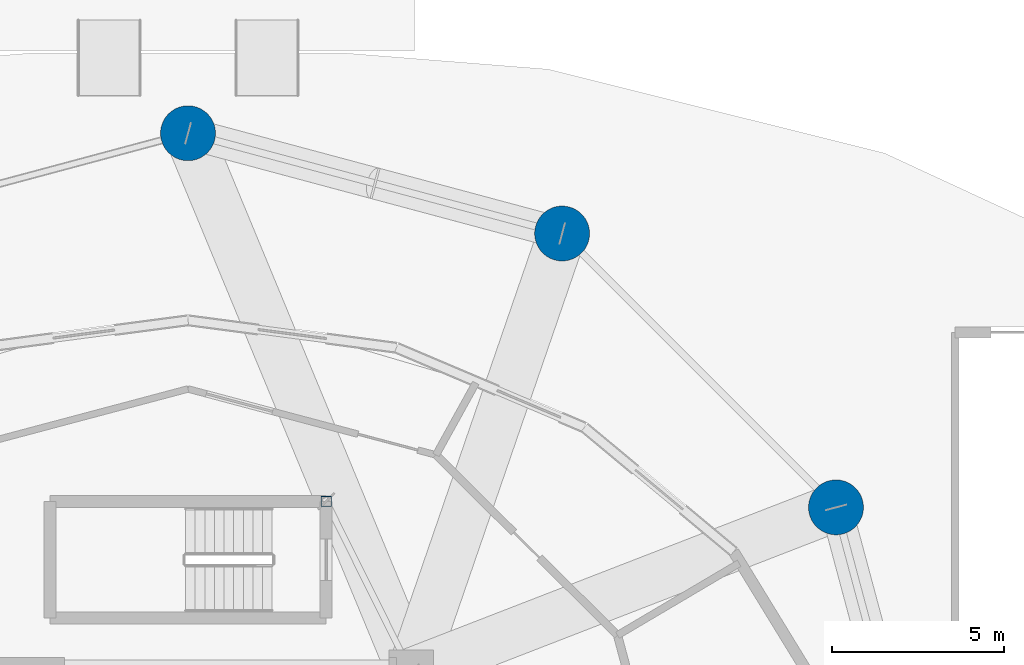
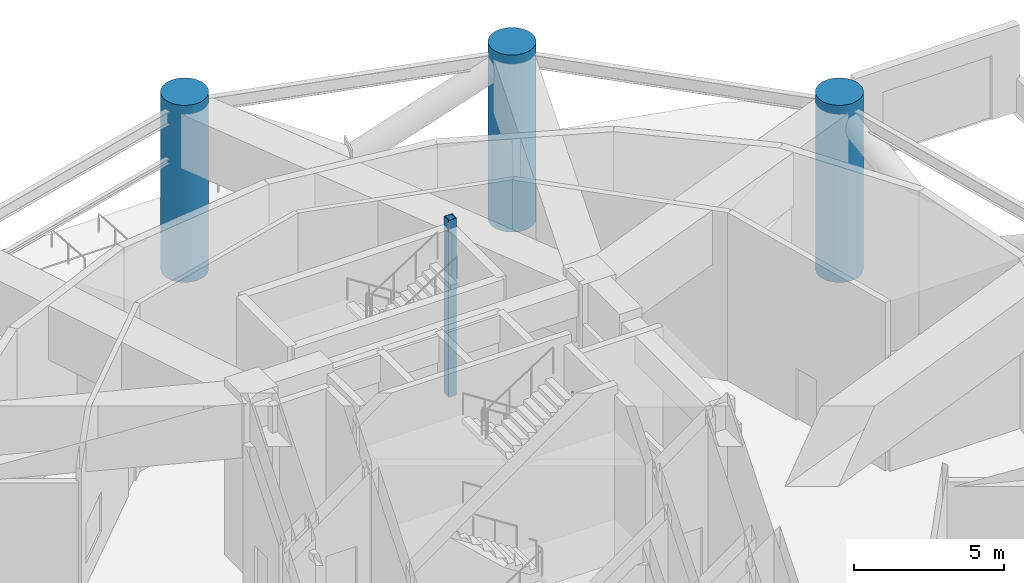
# One storey, part 3 of 16: 4 columns.
"""IFC4 building model written with IfcOpenShell, lengths in metres."""

import ifcopenshell
import ifcopenshell.guid

model = None  # the IFC model being written
_history = None  # IfcOwnerHistory: only IFC2X3 demands one
_inside = {}  # id of a spatial element -> (the spatial element, [elements in it])
_under = {}  # id of a project, library or spatial element -> (it, [spatial elements below it])
_declared = {}  # id of a project -> (the project, [libraries it declares])
_typed = {}  # id of a type object -> (the type object, [elements of that type])
_made_of = {}  # id of a material, layer set ... -> (it, [elements and type objects made of it])


def new_model(schema):
    """Start an empty IFC model of exactly this schema.

    Asked for "IFC4X3", IfcOpenShell would pick the latest addendum, in which some entities
    have other attributes; the version numbers below select the first issue.
    IFC2X3 requires an IfcOwnerHistory on every rooted entity: one is made here for all.
    """
    global model, _history
    if schema == "IFC4X3":
        model = ifcopenshell.file(schema_version=(4, 3, 0, 0))
    else:
        model = ifcopenshell.file(schema=schema)
    _inside.clear()
    _under.clear()
    _declared.clear()
    _typed.clear()
    _made_of.clear()
    _history = None
    if model.schema == "IFC2X3":
        org = make("IfcOrganization", Name="unknown")
        user = make(
            "IfcPersonAndOrganization",
            ThePerson=make("IfcPerson", FamilyName="unknown"),
            TheOrganization=org,
        )
        app = make(
            "IfcApplication",
            ApplicationDeveloper=org,
            Version="unknown",
            ApplicationFullName="unknown",
            ApplicationIdentifier="unknown",
        )
        _history = make(
            "IfcOwnerHistory",
            OwningUser=user,
            OwningApplication=app,
            ChangeAction="ADDED",
            CreationDate=0,
        )
    return model


def make(cls, **values):
    """One entity of the class cls with the attributes given. An attribute that is None is left unset."""
    return model.create_entity(
        cls, **{name: value for name, value in values.items() if value is not None}
    )


def rooted(cls, **values):
    """An entity with a GlobalId (a new one), such as an element, a storey or a relation."""
    return make(cls, GlobalId=ifcopenshell.guid.new(), OwnerHistory=_history, **values)


def si_unit(unit_type, name, prefix=None):
    """IfcSIUnit, for example si_unit("LENGTHUNIT", "METRE", prefix="MILLI")."""
    return make("IfcSIUnit", UnitType=unit_type, Prefix=prefix, Name=name)


def assignment(units):
    """IfcUnitAssignment: the units of a project."""
    return None if units is None else make("IfcUnitAssignment", Units=units)


def point(xyz):
    """IfcCartesianPoint."""
    return None if xyz is None else make("IfcCartesianPoint", Coordinates=xyz)


def direction(xyz):
    """IfcDirection."""
    return None if xyz is None else make("IfcDirection", DirectionRatios=xyz)


def frame(location, z_axis=None, x_axis=None):
    """IfcAxis2Placement3D, a coordinate frame: its origin and axes. An axis left out is left unset."""
    return make(
        "IfcAxis2Placement3D",
        Location=point(location),
        Axis=direction(z_axis),
        RefDirection=direction(x_axis),
    )


def frame_2d(location, x_axis=None):
    """IfcAxis2Placement2D, a coordinate frame in the plane: its origin and x axis."""
    return make(
        "IfcAxis2Placement2D", Location=point(location), RefDirection=direction(x_axis)
    )


def origin():
    """The frame at (0, 0, 0) with its axes left unset."""
    return frame((0.0, 0.0, 0.0))


def origin_2d():
    """The frame at (0, 0) in the plane with its x axis left unset."""
    return frame_2d((0.0, 0.0))


def place(relative_to, where):
    """IfcLocalPlacement: puts the frame where relative to a parent placement (None: the world)."""
    return make(
        "IfcLocalPlacement", PlacementRelTo=relative_to, RelativePlacement=where
    )


def context(
    kind, dimensions, precision=None, world=None, true_north=None, identifier=None
):
    """IfcGeometricRepresentationContext, for example the 3D "Model" context."""
    return make(
        "IfcGeometricRepresentationContext",
        ContextIdentifier=identifier,
        ContextType=kind,
        CoordinateSpaceDimension=dimensions,
        Precision=precision,
        WorldCoordinateSystem=world,
        TrueNorth=true_north,
    )


def subcontext(parent, identifier, kind, view, scale=None):
    """IfcGeometricRepresentationSubContext, for example "Body" below "Model"."""
    return make(
        "IfcGeometricRepresentationSubContext",
        ContextIdentifier=identifier,
        ContextType=kind,
        ParentContext=parent,
        TargetScale=scale,
        TargetView=view,
    )


def project(units=None, contexts=None):
    """IfcProject with its units and contexts."""
    return rooted(
        "IfcProject",
        Name="project",
        RepresentationContexts=contexts,
        UnitsInContext=assignment(units),
    )


def spatial(cls, under=None, at=None, **own):
    """A site, building, storey or space (cls), placed at a placement, below another one or the project."""
    s = rooted(cls, ObjectPlacement=at, **own)
    if under is not None:
        _under.setdefault(under.id(), (under, []))[1].append(s)
    return s


def profile(cls, at=None, kind="AREA", **sizes):
    """A parametric profile (cls). Its sizes go by their IFC names, for example OverallWidth=200.0."""
    return make(cls, ProfileType=kind, Position=at, **sizes)


def hollow_rectangle(**sizes):
    """IfcRectangleHollowProfileDef."""
    return profile("IfcRectangleHollowProfileDef", **sizes)


def circle(**sizes):
    """IfcCircleProfileDef."""
    return profile("IfcCircleProfileDef", **sizes)


def extrude(swept, where, along, depth):
    """IfcExtrudedAreaSolid: the profile swept, set in the frame where, extruded along a direction by depth."""
    return make(
        "IfcExtrudedAreaSolid",
        SweptArea=swept,
        Position=where,
        ExtrudedDirection=direction(along),
        Depth=depth,
    )


def shape(context_of_items, identifier, shape_type, items):
    """IfcShapeRepresentation: the items that make up one representation, for example the "Body"."""
    return make(
        "IfcShapeRepresentation",
        ContextOfItems=context_of_items,
        RepresentationIdentifier=identifier,
        RepresentationType=shape_type,
        Items=items,
    )


def material(Name=None, Category=None):
    """IfcMaterial."""
    return make("IfcMaterial", Name=Name, Category=Category)


def material_profile(
    of_material, cross_section, Name=None, Category=None, Priority=None
):
    """IfcMaterialProfile: a cross section and its material."""
    return make(
        "IfcMaterialProfile",
        Name=Name,
        Material=of_material,
        Profile=cross_section,
        Priority=Priority,
        Category=Category,
    )


def profile_set(profiles, Name=None, composite=None):
    """IfcMaterialProfileSet."""
    return make(
        "IfcMaterialProfileSet",
        Name=Name,
        MaterialProfiles=profiles,
        CompositeProfile=composite,
    )


def made_of(thing, what):
    """Note that an element or type object is made of a material, layer set ...; save() writes the relation."""
    if what is not None:
        _made_of.setdefault(what.id(), (what, []))[1].append(thing)
    return thing


def type_object(cls, material=None, **own):
    """A type object (cls), such as IfcWallType, which elements share."""
    return made_of(rooted(cls, **own), material)


def element(
    cls,
    number,
    at=None,
    inside=None,
    cuts=None,
    type_object=None,
    material=None,
    context=None,
    identifier="Body",
    shape_type=None,
    held_by="IfcProductDefinitionShape",
    body=None,
    shapes=None,
    **own,
):
    """One element of the class cls, such as IfcWall. Its Tag is "e" and its number.

    at: its placement. inside: the storey or other place that contains it. cuts: it is an
    opening in that element (IfcRelVoidsElement). A single representation is given by context,
    identifier, shape_type and body (its items); several are given by shapes. held_by: the class
    of the entity that holds the representations. save() writes the other relations.
    """
    e = rooted(cls, Tag="e%d" % number, ObjectPlacement=at, **own)
    if body is not None:
        shapes = [shape(context, identifier, shape_type, body)]
    if shapes is not None:
        e.Representation = make(held_by, Representations=shapes)
    if inside is not None:
        _inside.setdefault(inside.id(), (inside, []))[1].append(e)
    if cuts is not None:
        rooted(
            "IfcRelVoidsElement", RelatingBuildingElement=cuts, RelatedOpeningElement=e
        )
    if type_object is not None:
        _typed.setdefault(type_object.id(), (type_object, []))[1].append(e)
    return made_of(e, material)


def aggregate(whole, parts):
    """IfcRelAggregates: a whole, such as a stair, and the parts it consists of."""
    return rooted("IfcRelAggregates", RelatingObject=whole, RelatedObjects=parts)


def save(model, path):
    """Write the relations noted so far, then the file.

    IfcRelAggregates (storeys below a building ...), IfcRelContainedInSpatialStructure (elements
    in a storey), IfcRelDefinesByType, IfcRelAssociatesMaterial and IfcRelDeclares: one each for
    every whole, place, type object, material and project.
    """
    for whole, parts in _under.values():
        aggregate(whole, parts)
    for where, things in _inside.values():
        rooted(
            "IfcRelContainedInSpatialStructure",
            RelatedElements=things,
            RelatingStructure=where,
        )
    for kind, things in _typed.values():
        rooted("IfcRelDefinesByType", RelatedObjects=things, RelatingType=kind)
    for what, things in _made_of.values():
        rooted("IfcRelAssociatesMaterial", RelatedObjects=things, RelatingMaterial=what)
    for by, libraries in _declared.values():
        rooted("IfcRelDeclares", RelatingContext=by, RelatedDefinitions=libraries)
    model.write(path)


model = new_model("IFC4")

# Units and contexts
model_context = context("Model", 3, precision=1e-05, world=origin(), true_north=direction((0.0, 1.0)))
body_context = subcontext(model_context, "Body", "Model", "MODEL_VIEW")
ifc_project = project(units=[si_unit("LENGTHUNIT", "METRE"), si_unit("AREAUNIT", "SQUARE_METRE"), si_unit("VOLUMEUNIT", "CUBIC_METRE"), si_unit("PLANEANGLEUNIT", "RADIAN"), si_unit("MASSUNIT", "GRAM", prefix="KILO")], contexts=[model_context])

# Site, building, storey
site_placement = place(None, origin())
site = spatial("IfcSite", under=ifc_project, at=site_placement, CompositionType="ELEMENT")
building_placement = place(site_placement, origin())
building = spatial("IfcBuilding", under=site, at=building_placement, Name="Solvirekh Grand Hotel", CompositionType="ELEMENT")
storey_placement = place(building_placement, origin())
storey = spatial("IfcBuildingStorey", under=building, at=storey_placement, Name="L00", CompositionType="ELEMENT", Elevation=0.0)

# Columns
ifc_material_1 = material(Name="Steel S355", Category="steel")
ifc_material_profile_1 = material_profile(ifc_material_1, hollow_rectangle(XDim=0.300048828125, YDim=0.300048828125, WallThickness=0.01611328125, at=origin_2d()), Name="SHS 300X300X16")
ifc_profile_set_1 = profile_set([ifc_material_profile_1], Name="Steel S355")
column_type_1 = type_object("IfcColumnType", Name="Col_Pod_SHS300", PredefinedType="COLUMN", material=ifc_profile_set_1)
column_placement = place(storey_placement, frame((4.02490234375, 11.074951171875, 0.0), z_axis=(0.0, 0.0, 1.0), x_axis=(1.0, 0.0, 0.0)))
element("IfcColumn", 1, at=column_placement, inside=storey, type_object=column_type_1, Name="L00 podium stair enclosure post 2", PredefinedType="COLUMN", context=body_context, shape_type="SweptSolid", body=[
    extrude(hollow_rectangle(XDim=0.300048828125, YDim=0.300048828125, WallThickness=0.01611328125, at=origin_2d()), origin(), (0.0, 0.0, 1.0), 7.199951171875),
])
ifc_material_2 = material(Name="Concrete C60/75", Category="concrete")
ifc_material_profile_2 = material_profile(ifc_material_2, circle(Radius=0.800048828125, at=origin_2d()), Name="RC CIRC D1600")
ifc_profile_set_2 = profile_set([ifc_material_profile_2], Name="Concrete C60/75")
column_type_2 = type_object("IfcColumnType", Name="Col_Stilt_D1600", PredefinedType="COLUMN", material=ifc_profile_set_2)
for number, where, z_axis, x_axis, name in (
    (2, (18.87890625, 10.89990234375, 0.0), (0.0, 0.0, 1.0), (1.0, 0.0, 0.0), "L00 raking plaza stilt column P02"),
    (3, (10.89990234375, 18.87890625, 0.0), (0.0, 0.0, 1.0), (1.0, 0.0, 0.0), "L00 raking plaza stilt column P03"),
    (4, (0.0, 21.800048828125, 0.0), (0.0, 0.0, 1.0), (1.0, 0.0, 0.0), "L00 raking plaza stilt column P04"),
):
    element("IfcColumn", number, at=place(storey_placement, frame(where, z_axis=z_axis, x_axis=x_axis)), inside=storey, type_object=column_type_2, Name=name, PredefinedType="COLUMN", context=body_context, shape_type="SweptSolid", body=[
        extrude(circle(Radius=0.800048828125, at=origin_2d()), origin(), (0.0, 0.0, 1.0), 7.199951171875),
    ])

save(model, "model.ifc")
